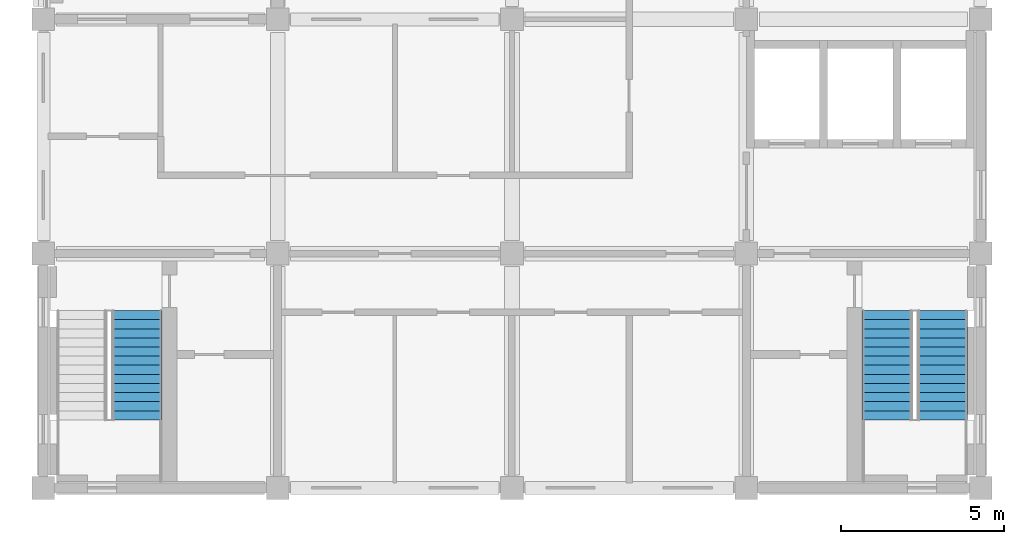
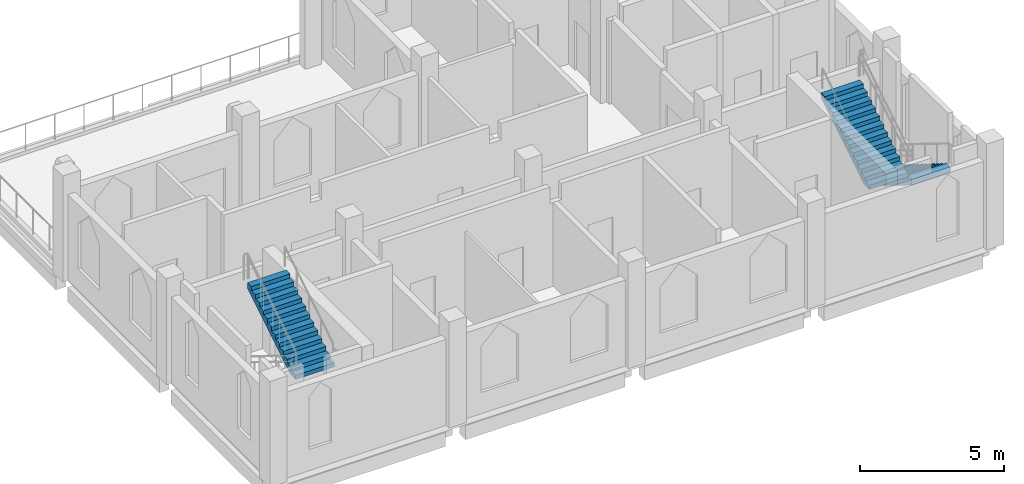
# One storey, part 28 of 29: 3 stair flights, 2 elements without a shape of their own.
"""IFC4 building model written with IfcOpenShell, lengths in metres."""

from ifc_helpers import new_model, si_unit, direction, frame, origin, place, context, subcontext, project, spatial, polyline, outline, extrude, material, type_object, element, aggregate, save


model = new_model("IFC4")

# Units and contexts
model_context = context("Model", 3, precision=1e-05, world=origin(), true_north=direction((0.0, 1.0)))
body_context = subcontext(model_context, "Body", "Model", "MODEL_VIEW")
ifc_project = project(units=[si_unit("LENGTHUNIT", "METRE"), si_unit("AREAUNIT", "SQUARE_METRE"), si_unit("VOLUMEUNIT", "CUBIC_METRE"), si_unit("PLANEANGLEUNIT", "RADIAN"), si_unit("MASSUNIT", "GRAM", prefix="KILO")], contexts=[model_context])

# Site, building, storey
site_placement = place(None, origin())
site = spatial("IfcSite", under=ifc_project, at=site_placement, CompositionType="ELEMENT")
building_placement = place(site_placement, origin())
building = spatial("IfcBuilding", under=site, at=building_placement, Name="Silangan Lancet Faculty of Sciences", CompositionType="ELEMENT")
storey_placement = place(building_placement, frame((0.0, 0.0, 54.300048828125)))
storey = spatial("IfcBuildingStorey", under=building, at=storey_placement, Name="L11", CompositionType="ELEMENT", Elevation=54.300048828125)

# Stair, stair flight
ifc_material_1 = material(Name="Concrete C40/50", Category="concrete")
stair_type = type_object("IfcStairType", Name="TURRET STAIR 1550 TWO-FLIGHT", PredefinedType="HALF_TURN_STAIR", material=ifc_material_1)
stair_1_placement = place(storey_placement, origin())
stair_1 = element("IfcStair", 1, at=stair_1_placement, inside=storey, type_object=stair_type, Name="ST-A stair L11", PredefinedType="HALF_TURN_STAIR")
ifc_material_2 = material(Name="Concrete C40/50", Category="concrete")
stair_flight_type = type_object("IfcStairFlightType", Name="TURRET STAIR FLIGHT 1550", PredefinedType="STRAIGHT", material=ifc_material_2)
stair_flight_1_placement = place(storey_placement, frame((2.875, 2.090087890625, 2.25), z_axis=(0.0, 0.0, 1.0), x_axis=(0.0, 1.0, 0.0)))
stair_flight_1 = element("IfcStairFlight", 2, at=stair_flight_1_placement, type_object=stair_flight_type, Name="STR1 flight 2", NumberOfRisers=13, NumberOfTreads=12, PredefinedType="STRAIGHT", RiserHeight=0.173076923, TreadLength=0.28, context=body_context, shape_type="SweptSolid", body=[
    extrude(outline(polyline([(0.0, 0.0), (0.0, 0.173095703125), (0.280029296875, 0.173095703125), (0.280029296875, 0.34619140625), (0.56005859375, 0.34619140625), (0.56005859375, 0.519287109375), (0.840087890625, 0.519287109375), (0.840087890625, 0.6923828125), (1.1201171875, 0.6923828125), (1.1201171875, 0.865478515625), (1.39990234375, 0.865478515625), (1.39990234375, 1.03857421875), (1.679931640625, 1.03857421875), (1.679931640625, 1.21142578125), (1.9599609375, 1.21142578125), (1.9599609375, 1.384521484375), (2.239990234375, 1.384521484375), (2.239990234375, 1.5576171875), (2.52001953125, 1.5576171875), (2.52001953125, 1.730712890625), (2.800048828125, 1.730712890625), (2.800048828125, 1.90380859375), (3.080078125, 1.90380859375), (3.080078125, 2.076904296875), (3.360107421875, 2.076904296875), (3.360107421875, 2.25), (3.360107421875, 1.841796875), (0.38037109375, 0.0), (0.0, 0.0)])), frame((0.0, 0.77490234375, 0.0), z_axis=(0.0, -1.0, 0.0), x_axis=(1.0, 0.0, 0.0)), (0.0, 0.0, 1.0), 1.550048828125),
])
aggregate(stair_1, [stair_flight_1])

# Stair, stair flights
stair_2_placement = place(storey_placement, origin())
stair_2 = element("IfcStair", 3, at=stair_2_placement, inside=storey, type_object=stair_type, Name="ST-B stair L11", PredefinedType="HALF_TURN_STAIR")
stair_flight_2_placement = place(storey_placement, frame((27.625, 5.449951171875, 0.0), z_axis=(0.0, 0.0, 1.0), x_axis=(0.0, -1.0, 0.0)))
stair_flight_2 = element("IfcStairFlight", 4, at=stair_flight_2_placement, type_object=stair_flight_type, Name="STR2 flight 1", NumberOfRisers=13, NumberOfTreads=12, PredefinedType="STRAIGHT", RiserHeight=0.173076923, TreadLength=0.28, context=body_context, shape_type="SweptSolid", body=[
    extrude(outline(polyline([(0.0, 0.0), (0.0, 0.173095703125), (0.280029296875, 0.173095703125), (0.280029296875, 0.34619140625), (0.56005859375, 0.34619140625), (0.56005859375, 0.519287109375), (0.840087890625, 0.519287109375), (0.840087890625, 0.6923828125), (1.1201171875, 0.6923828125), (1.1201171875, 0.865478515625), (1.39990234375, 0.865478515625), (1.39990234375, 1.03857421875), (1.679931640625, 1.03857421875), (1.679931640625, 1.21142578125), (1.9599609375, 1.21142578125), (1.9599609375, 1.384521484375), (2.239990234375, 1.384521484375), (2.239990234375, 1.5576171875), (2.52001953125, 1.5576171875), (2.52001953125, 1.730712890625), (2.800048828125, 1.730712890625), (2.800048828125, 1.90380859375), (3.080078125, 1.90380859375), (3.080078125, 2.076904296875), (3.360107421875, 2.076904296875), (3.360107421875, 2.25), (3.360107421875, 1.841796875), (0.38037109375, 0.0), (0.0, 0.0)])), frame((0.0, 0.77490234375, 0.0), z_axis=(0.0, -1.0, 0.0), x_axis=(1.0, 0.0, 0.0)), (0.0, 0.0, 1.0), 1.550048828125),
])
stair_flight_3_placement = place(storey_placement, frame((25.925048828125, 2.090087890625, 2.25), z_axis=(0.0, 0.0, 1.0), x_axis=(0.0, 1.0, 0.0)))
stair_flight_3 = element("IfcStairFlight", 5, at=stair_flight_3_placement, type_object=stair_flight_type, Name="STR2 flight 2", NumberOfRisers=13, NumberOfTreads=12, PredefinedType="STRAIGHT", RiserHeight=0.173076923, TreadLength=0.28, context=body_context, shape_type="SweptSolid", body=[
    extrude(outline(polyline([(0.0, 0.0), (0.0, 0.173095703125), (0.280029296875, 0.173095703125), (0.280029296875, 0.34619140625), (0.56005859375, 0.34619140625), (0.56005859375, 0.519287109375), (0.840087890625, 0.519287109375), (0.840087890625, 0.6923828125), (1.1201171875, 0.6923828125), (1.1201171875, 0.865478515625), (1.39990234375, 0.865478515625), (1.39990234375, 1.03857421875), (1.679931640625, 1.03857421875), (1.679931640625, 1.21142578125), (1.9599609375, 1.21142578125), (1.9599609375, 1.384521484375), (2.239990234375, 1.384521484375), (2.239990234375, 1.5576171875), (2.52001953125, 1.5576171875), (2.52001953125, 1.730712890625), (2.800048828125, 1.730712890625), (2.800048828125, 1.90380859375), (3.080078125, 1.90380859375), (3.080078125, 2.076904296875), (3.360107421875, 2.076904296875), (3.360107421875, 2.25), (3.360107421875, 1.841796875), (0.38037109375, 0.0), (0.0, 0.0)])), frame((0.0, 0.77490234375, 0.0), z_axis=(0.0, -1.0, 0.0), x_axis=(1.0, 0.0, 0.0)), (0.0, 0.0, 1.0), 1.550048828125),
])
aggregate(stair_2, [stair_flight_2, stair_flight_3])

save(model, "model.ifc")
